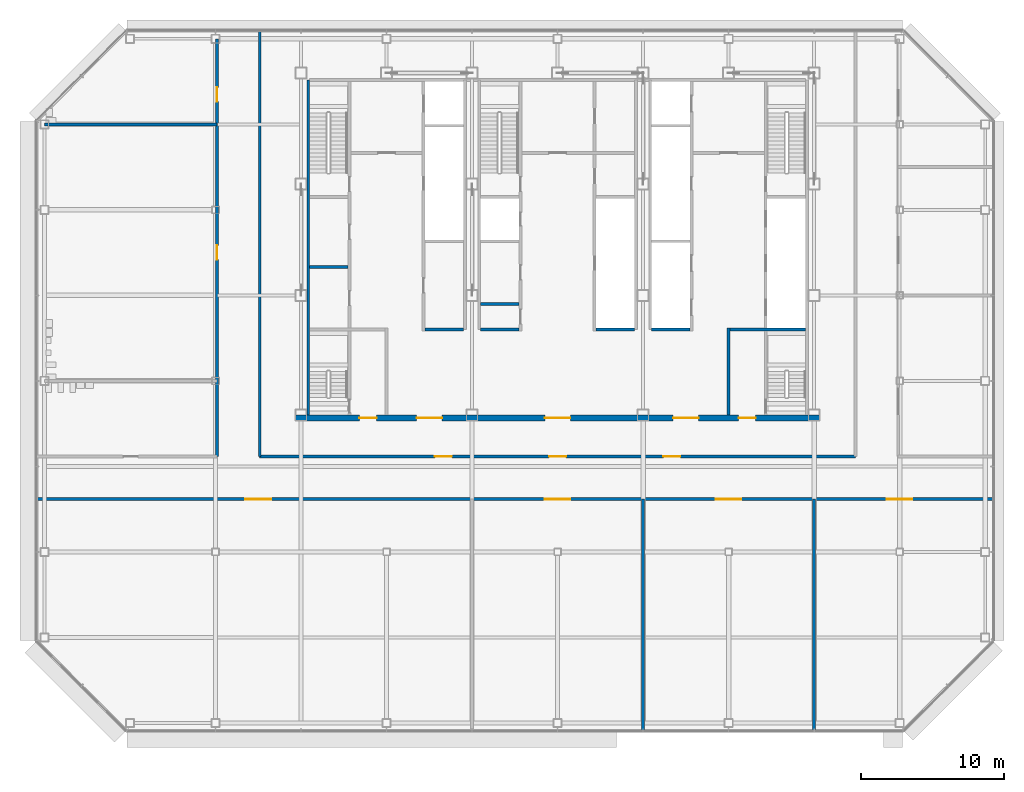
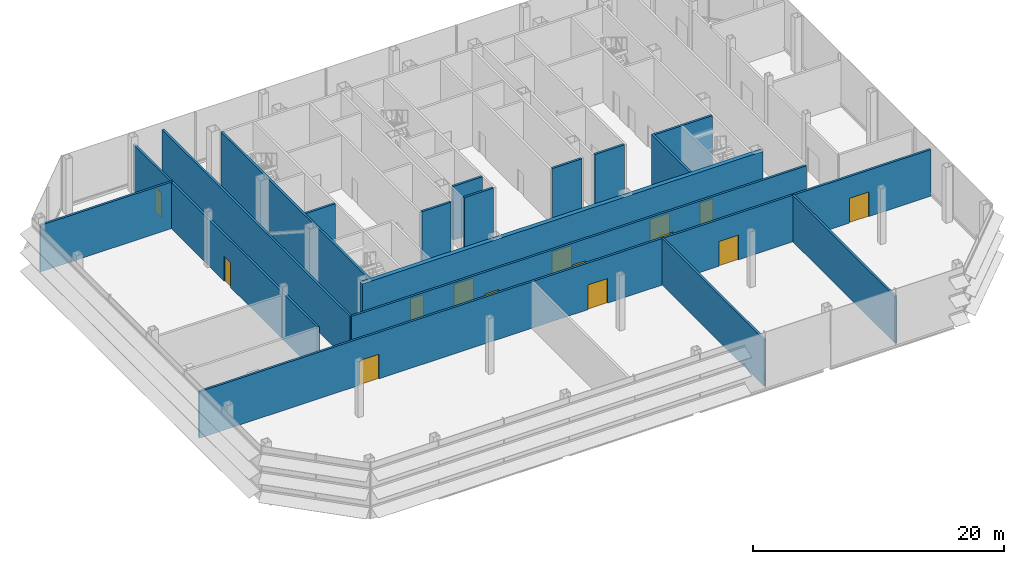
# One storey, part 19 of 26: 17 walls, 14 doors, 14 openings.
"""IFC4 building model written with IfcOpenShell, lengths in metres."""

from ifc_helpers import new_model, si_unit, direction, frame, frame_2d, origin, place, context, subcontext, project, spatial, rectangle, extrude, material, layer, layer_set, type_object, element, fill, save


model = new_model("IFC4")

# Units and contexts
model_context = context("Model", 3, precision=1e-05, world=origin(), true_north=direction((0.0, 1.0)))
body_context = subcontext(model_context, "Body", "Model", "MODEL_VIEW")
ifc_project = project(units=[si_unit("LENGTHUNIT", "METRE"), si_unit("AREAUNIT", "SQUARE_METRE"), si_unit("VOLUMEUNIT", "CUBIC_METRE"), si_unit("PLANEANGLEUNIT", "RADIAN"), si_unit("MASSUNIT", "GRAM", prefix="KILO")], contexts=[model_context])

# Site, building, storey
site_placement = place(None, origin())
site = spatial("IfcSite", under=ifc_project, at=site_placement, CompositionType="ELEMENT")
building_placement = place(site_placement, origin())
building = spatial("IfcBuilding", under=site, at=building_placement, Name="Sorahane Residences", CompositionType="ELEMENT")
storey_placement = place(building_placement, frame((0.0, 0.0, 257.60009765625)))
storey = spatial("IfcBuildingStorey", under=building, at=storey_placement, Name="L61", CompositionType="ELEMENT", Elevation=257.60009765625)

# Wall
ifc_material_1 = material(Name="Concrete C30", Category="concrete")
ifc_layer_1 = layer(ifc_material_1, 0.199951171875)
ifc_layer_set_1 = layer_set([ifc_layer_1], Name="Core face wall 200 EI 180")
wall_type_1 = type_object("IfcWallType", Name="Core face wall 200 EI 180", PredefinedType="SOLIDWALL", material=ifc_layer_set_1)
wall_1_placement = place(storey_placement, frame((6.5, 21.60009765625, 0.0), z_axis=(0.0, 0.0, 1.0), x_axis=(0.0, 1.0, 0.0)))
element("IfcWall", 1, at=wall_1_placement, inside=storey, type_object=wall_type_1, Name="L61 core face wall", PredefinedType="SOLIDWALL", context=body_context, shape_type="SweptSolid", body=[
    extrude(rectangle(XDim=23.5, YDim=0.199951171875, at=frame_2d((11.75, 0.0))), origin(), (0.0, 0.0, 1.0), 5.219970703125),
])

# Wall, openings, doors
ifc_material_2 = material(Name="Concrete blockwork C20 wall", Category="masonry")
ifc_layer_2 = layer(ifc_material_2, 0.199951171875)
ifc_layer_set_2 = layer_set([ifc_layer_2], Name="Corridor wall 200 EI 120")
wall_type_2 = type_object("IfcWallType", Name="Corridor wall 200 EI 120", PredefinedType="SOLIDWALL", material=ifc_layer_set_2)
wall_2_placement = place(storey_placement, frame((0.10009765625, 18.699951171875, 0.0), z_axis=(0.0, 0.0, 1.0), x_axis=(0.0, 1.0, 0.0)))
wall_2 = element("IfcWall", 2, at=wall_2_placement, inside=storey, type_object=wall_type_2, Name="L61 corridor wall", PredefinedType="SOLIDWALL", context=body_context, shape_type="SweptSolid", body=[
    extrude(rectangle(XDim=29.300048828125, YDim=0.199951171875, at=frame_2d((14.64990234375, 0.0))), origin(), (0.0, 0.0, 1.0), 4.52001953125),
])
opening_1_placement = place(wall_2_placement, frame((13.800048828125, 0.0, 0.0)))
opening_1 = element("IfcOpeningElement", 3, at=opening_1_placement, cuts=wall_2, Name="Opening L61-06", PredefinedType="OPENING", context=body_context, shape_type="SweptSolid", body=[
    extrude(rectangle(XDim=1.0, YDim=2.39990234375, at=frame_2d((0.5, 1.199951171875))), frame((0.0, 0.10986328125, 0.0), z_axis=(0.0, -1.0, 0.0), x_axis=(1.0, 0.0, 0.0)), (0.0, 0.0, 1.0), 0.219970703125),
])
opening_2_placement = place(wall_2_placement, frame((24.89990234375, 0.0, 0.0)))
opening_2 = element("IfcOpeningElement", 4, at=opening_2_placement, cuts=wall_2, Name="Opening L61-07", PredefinedType="OPENING", context=body_context, shape_type="SweptSolid", body=[
    extrude(rectangle(XDim=1.0, YDim=2.39990234375, at=frame_2d((0.5, 1.199951171875))), frame((0.0, 0.10986328125, 0.0), z_axis=(0.0, -1.0, 0.0), x_axis=(1.0, 0.0, 0.0)), (0.0, 0.0, 1.0), 0.219970703125),
])
ifc_material_3 = material(Name="Timber veneered fire door", Category="wood")
door_type_1 = type_object("IfcDoorType", Name="Room door 1000x2400 FD30", OperationType="NOTDEFINED", PredefinedType="DOOR", material=ifc_material_3)
door_1_placement = place(opening_1_placement, origin())
door_1 = element("IfcDoor", 5, at=door_1_placement, inside=storey, type_object=door_type_1, Name="Room door L61-06", OperationType="SINGLE_SWING_LEFT", OverallHeight=2.39990234375, OverallWidth=1.0, PredefinedType="DOOR", context=body_context, shape_type="SweptSolid", body=[
    extrude(rectangle(XDim=1.0, YDim=2.39990234375, at=frame_2d((0.5, 1.199951171875))), frame((0.0, 0.02490234375, 0.0), z_axis=(0.0, -1.0, 0.0), x_axis=(1.0, 0.0, 0.0)), (0.0, 0.0, 1.0), 0.050048828125),
])
fill(opening_1, door_1)
door_2_placement = place(opening_2_placement, origin())
door_2 = element("IfcDoor", 6, at=door_2_placement, inside=storey, type_object=door_type_1, Name="Room door L61-07", OperationType="SINGLE_SWING_RIGHT", OverallHeight=2.39990234375, OverallWidth=1.0, PredefinedType="DOOR", context=body_context, shape_type="SweptSolid", body=[
    extrude(rectangle(XDim=1.0, YDim=2.39990234375, at=frame_2d((0.5, 1.199951171875))), frame((0.0, 0.02490234375, 0.0), z_axis=(0.0, -1.0, 0.0), x_axis=(1.0, 0.0, 0.0)), (0.0, 0.0, 1.0), 0.050048828125),
])
fill(opening_2, door_2)

# Walls
wall_3_placement = place(storey_placement, frame((3.10009765625, 18.699951171875, 0.0), z_axis=(0.0, 0.0, 1.0), x_axis=(0.0, 1.0, 0.0)))
element("IfcWall", 7, at=wall_3_placement, inside=storey, type_object=wall_type_2, Name="L61 corridor wall", PredefinedType="SOLIDWALL", context=body_context, shape_type="SweptSolid", body=[
    extrude(rectangle(XDim=29.900146484375, YDim=0.199951171875, at=frame_2d((14.9501953125, 0.0))), origin(), (0.0, 0.0, 1.0), 4.52001953125),
])
for number, where, z_axis, x_axis, name in (
    (8, (30.0, -0.60009765625, 0.0), (0.0, 0.0, 1.0), (0.0, 1.0, 0.0), "L61 corridor wall"),
    (9, (42.0, -0.60009765625, 0.0), (0.0, 0.0, 1.0), (0.0, 1.0, 0.0), "L61 corridor wall"),
):
    element("IfcWall", number, at=place(storey_placement, frame(where, z_axis=z_axis, x_axis=x_axis)), inside=storey, type_object=wall_type_2, Name=name, PredefinedType="SOLIDWALL", context=body_context, shape_type="SweptSolid", body=[
        extrude(rectangle(XDim=16.300048828125, YDim=0.199951171875, at=frame_2d((8.14990234375, 0.0))), origin(), (0.0, 0.0, 1.0), 4.52001953125),
    ])

# Wall, openings, doors
wall_4_placement = place(storey_placement, frame((-12.60009765625, 15.699951171875, 0.0), z_axis=(0.0, 0.0, 1.0), x_axis=(1.0, 0.0, 0.0)))
wall_4 = element("IfcWall", 10, at=wall_4_placement, inside=storey, type_object=wall_type_2, Name="L61 corridor wall", PredefinedType="SOLIDWALL", context=body_context, shape_type="SweptSolid", body=[
    extrude(rectangle(XDim=67.2001953125, YDim=0.199951171875, at=frame_2d((33.60009765625, 0.0))), origin(), (0.0, 0.0, 1.0), 4.52001953125),
])
opening_3_placement = place(wall_4_placement, frame((14.699951171875, 0.0, 0.0)))
opening_3 = element("IfcOpeningElement", 11, at=opening_3_placement, cuts=wall_4, Name="Opening L61-01", PredefinedType="OPENING", context=body_context, shape_type="SweptSolid", body=[
    extrude(rectangle(XDim=1.800048828125, YDim=2.39990234375, at=frame_2d((0.89990234375, 1.199951171875))), frame((0.0, 0.10986328125, 0.0), z_axis=(0.0, -1.0, 0.0), x_axis=(1.0, 0.0, 0.0)), (0.0, 0.0, 1.0), 0.219970703125),
])
opening_4_placement = place(wall_4_placement, frame((35.699951171875, 0.0, 0.0)))
opening_4 = element("IfcOpeningElement", 12, at=opening_4_placement, cuts=wall_4, Name="Opening L61-02", PredefinedType="OPENING", context=body_context, shape_type="SweptSolid", body=[
    extrude(rectangle(XDim=1.800048828125, YDim=2.39990234375, at=frame_2d((0.89990234375, 1.199951171875))), frame((0.0, 0.10986328125, 0.0), z_axis=(0.0, -1.0, 0.0), x_axis=(1.0, 0.0, 0.0)), (0.0, 0.0, 1.0), 0.219970703125),
])
opening_5_placement = place(wall_4_placement, frame((47.699951171875, 0.0, 0.0)))
opening_5 = element("IfcOpeningElement", 13, at=opening_5_placement, cuts=wall_4, Name="Opening L61-03", PredefinedType="OPENING", context=body_context, shape_type="SweptSolid", body=[
    extrude(rectangle(XDim=1.800048828125, YDim=2.39990234375, at=frame_2d((0.89990234375, 1.199951171875))), frame((0.0, 0.10986328125, 0.0), z_axis=(0.0, -1.0, 0.0), x_axis=(1.0, 0.0, 0.0)), (0.0, 0.0, 1.0), 0.219970703125),
])
opening_6_placement = place(wall_4_placement, frame((59.699951171875, 0.0, 0.0)))
opening_6 = element("IfcOpeningElement", 14, at=opening_6_placement, cuts=wall_4, Name="Opening L61-04", PredefinedType="OPENING", context=body_context, shape_type="SweptSolid", body=[
    extrude(rectangle(XDim=1.800048828125, YDim=2.39990234375, at=frame_2d((0.89990234375, 1.199951171875))), frame((0.0, 0.10986328125, 0.0), z_axis=(0.0, -1.0, 0.0), x_axis=(1.0, 0.0, 0.0)), (0.0, 0.0, 1.0), 0.219970703125),
])
ifc_material_4 = material(Name="Timber veneered fire door", Category="wood")
door_type_2 = type_object("IfcDoorType", Name="Double door 1800x2400 FD30", OperationType="NOTDEFINED", PredefinedType="DOOR", material=ifc_material_4)
door_3_placement = place(opening_3_placement, origin())
door_3 = element("IfcDoor", 15, at=door_3_placement, inside=storey, type_object=door_type_2, Name="Double door L61-01", OperationType="SINGLE_SWING_LEFT", OverallHeight=2.39990234375, OverallWidth=1.800048828125, PredefinedType="DOOR", context=body_context, shape_type="SweptSolid", body=[
    extrude(rectangle(XDim=1.800048828125, YDim=2.39990234375, at=frame_2d((0.89990234375, 1.199951171875))), frame((0.0, 0.02490234375, 0.0), z_axis=(0.0, -1.0, 0.0), x_axis=(1.0, 0.0, 0.0)), (0.0, 0.0, 1.0), 0.050048828125),
])
fill(opening_3, door_3)
door_4_placement = place(opening_4_placement, origin())
door_4 = element("IfcDoor", 16, at=door_4_placement, inside=storey, type_object=door_type_2, Name="Double door L61-02", OperationType="SINGLE_SWING_LEFT", OverallHeight=2.39990234375, OverallWidth=1.800048828125, PredefinedType="DOOR", context=body_context, shape_type="SweptSolid", body=[
    extrude(rectangle(XDim=1.800048828125, YDim=2.39990234375, at=frame_2d((0.89990234375, 1.199951171875))), frame((0.0, 0.02490234375, 0.0), z_axis=(0.0, -1.0, 0.0), x_axis=(1.0, 0.0, 0.0)), (0.0, 0.0, 1.0), 0.050048828125),
])
fill(opening_4, door_4)
door_5_placement = place(opening_5_placement, origin())
door_5 = element("IfcDoor", 17, at=door_5_placement, inside=storey, type_object=door_type_2, Name="Double door L61-03", OperationType="SINGLE_SWING_LEFT", OverallHeight=2.39990234375, OverallWidth=1.800048828125, PredefinedType="DOOR", context=body_context, shape_type="SweptSolid", body=[
    extrude(rectangle(XDim=1.800048828125, YDim=2.39990234375, at=frame_2d((0.89990234375, 1.199951171875))), frame((0.0, 0.02490234375, 0.0), z_axis=(0.0, -1.0, 0.0), x_axis=(1.0, 0.0, 0.0)), (0.0, 0.0, 1.0), 0.050048828125),
])
fill(opening_5, door_5)
door_6_placement = place(opening_6_placement, origin())
door_6 = element("IfcDoor", 18, at=door_6_placement, inside=storey, type_object=door_type_2, Name="Double door L61-04", OperationType="SINGLE_SWING_RIGHT", OverallHeight=2.39990234375, OverallWidth=1.800048828125, PredefinedType="DOOR", context=body_context, shape_type="SweptSolid", body=[
    extrude(rectangle(XDim=1.800048828125, YDim=2.39990234375, at=frame_2d((0.89990234375, 1.199951171875))), frame((0.0, 0.02490234375, 0.0), z_axis=(0.0, -1.0, 0.0), x_axis=(1.0, 0.0, 0.0)), (0.0, 0.0, 1.0), 0.050048828125),
])
fill(opening_6, door_6)

wall_5_placement = place(storey_placement, frame((3.10009765625, 18.699951171875, 0.0), z_axis=(0.0, 0.0, 1.0), x_axis=(1.0, 0.0, 0.0)))
wall_5 = element("IfcWall", 19, at=wall_5_placement, inside=storey, type_object=wall_type_2, Name="L61 corridor wall", PredefinedType="SOLIDWALL", context=body_context, shape_type="SweptSolid", body=[
    extrude(rectangle(XDim=41.7998046875, YDim=0.199951171875, at=frame_2d((20.89990234375, 0.0))), origin(), (0.0, 0.0, 1.0), 4.52001953125),
])
opening_7_placement = place(wall_5_placement, frame((20.300048828125, 0.0, 0.0)))
opening_7 = element("IfcOpeningElement", 20, at=opening_7_placement, cuts=wall_5, Name="Opening L61-11", PredefinedType="OPENING", context=body_context, shape_type="SweptSolid", body=[
    extrude(rectangle(XDim=1.199951171875, YDim=2.39990234375, at=frame_2d((0.60009765625, 1.199951171875))), frame((0.0, 0.10986328125, 0.0), z_axis=(0.0, -1.0, 0.0), x_axis=(1.0, 0.0, 0.0)), (0.0, 0.0, 1.0), 0.219970703125),
])
opening_8_placement = place(wall_5_placement, frame((12.280029296875, 0.0, 0.0)))
opening_8 = element("IfcOpeningElement", 21, at=opening_8_placement, cuts=wall_5, Name="Opening L61-12", PredefinedType="OPENING", context=body_context, shape_type="SweptSolid", body=[
    extrude(rectangle(XDim=1.199951171875, YDim=2.39990234375, at=frame_2d((0.60009765625, 1.199951171875))), frame((0.0, 0.10986328125, 0.0), z_axis=(0.0, -1.0, 0.0), x_axis=(1.0, 0.0, 0.0)), (0.0, 0.0, 1.0), 0.219970703125),
])
opening_9_placement = place(wall_5_placement, frame((28.320068359375, 0.0, 0.0)))
opening_9 = element("IfcOpeningElement", 22, at=opening_9_placement, cuts=wall_5, Name="Opening L61-13", PredefinedType="OPENING", context=body_context, shape_type="SweptSolid", body=[
    extrude(rectangle(XDim=1.199951171875, YDim=2.39990234375, at=frame_2d((0.60009765625, 1.199951171875))), frame((0.0, 0.10986328125, 0.0), z_axis=(0.0, -1.0, 0.0), x_axis=(1.0, 0.0, 0.0)), (0.0, 0.0, 1.0), 0.219970703125),
])
ifc_material_5 = material(Name="Steel", Category="steel")
door_type_3 = type_object("IfcDoorType", Name="Lobby door 1200x2400 FD60", OperationType="NOTDEFINED", PredefinedType="DOOR", material=ifc_material_5)
door_7_placement = place(opening_7_placement, frame((1.199951171875, 0.0, 0.0), z_axis=(0.0, 0.0, 1.0), x_axis=(-1.0, 0.0, 0.0)))
door_7 = element("IfcDoor", 23, at=door_7_placement, inside=storey, type_object=door_type_3, Name="Lobby door L61-11", OperationType="SINGLE_SWING_RIGHT", OverallHeight=2.39990234375, OverallWidth=1.199951171875, PredefinedType="DOOR", context=body_context, shape_type="SweptSolid", body=[
    extrude(rectangle(XDim=1.199951171875, YDim=2.39990234375, at=frame_2d((0.60009765625, 1.199951171875))), frame((0.0, 0.02490234375, 0.0), z_axis=(0.0, -1.0, 0.0), x_axis=(1.0, 0.0, 0.0)), (0.0, 0.0, 1.0), 0.050048828125),
])
fill(opening_7, door_7)
door_8_placement = place(opening_8_placement, frame((1.199951171875, 0.0, 0.0), z_axis=(0.0, 0.0, 1.0), x_axis=(-1.0, 0.0, 0.0)))
door_8 = element("IfcDoor", 24, at=door_8_placement, inside=storey, type_object=door_type_3, Name="Lobby door L61-12", OperationType="SINGLE_SWING_LEFT", OverallHeight=2.39990234375, OverallWidth=1.199951171875, PredefinedType="DOOR", context=body_context, shape_type="SweptSolid", body=[
    extrude(rectangle(XDim=1.199951171875, YDim=2.39990234375, at=frame_2d((0.60009765625, 1.199951171875))), frame((0.0, 0.02490234375, 0.0), z_axis=(0.0, -1.0, 0.0), x_axis=(1.0, 0.0, 0.0)), (0.0, 0.0, 1.0), 0.050048828125),
])
fill(opening_8, door_8)
door_9_placement = place(opening_9_placement, frame((1.199951171875, 0.0, 0.0), z_axis=(0.0, 0.0, 1.0), x_axis=(-1.0, 0.0, 0.0)))
door_9 = element("IfcDoor", 25, at=door_9_placement, inside=storey, type_object=door_type_3, Name="Lobby door L61-13", OperationType="SINGLE_SWING_LEFT", OverallHeight=2.39990234375, OverallWidth=1.199951171875, PredefinedType="DOOR", context=body_context, shape_type="SweptSolid", body=[
    extrude(rectangle(XDim=1.199951171875, YDim=2.39990234375, at=frame_2d((0.60009765625, 1.199951171875))), frame((0.0, 0.02490234375, 0.0), z_axis=(0.0, -1.0, 0.0), x_axis=(1.0, 0.0, 0.0)), (0.0, 0.0, 1.0), 0.050048828125),
])
fill(opening_9, door_9)

# Walls
wall_6_placement = place(storey_placement, frame((-12.0, 42.0, 0.0), z_axis=(0.0, 0.0, 1.0), x_axis=(1.0, 0.0, 0.0)))
element("IfcWall", 26, at=wall_6_placement, inside=storey, type_object=wall_type_2, Name="L61 corridor wall", PredefinedType="SOLIDWALL", context=body_context, shape_type="SweptSolid", body=[
    extrude(rectangle(XDim=12.10009765625, YDim=0.199951171875, at=frame_2d((6.050048828125, 0.0))), origin(), (0.0, 0.0, 1.0), 4.52001953125),
])
ifc_material_6 = material(Name="Concrete C30", Category="concrete")
ifc_layer_3 = layer(ifc_material_6, 0.199951171875)
ifc_layer_set_3 = layer_set([ifc_layer_3], Name="Front room wall 200 EI 120")
wall_type_3 = type_object("IfcWallType", Name="Front room wall 200 EI 120", PredefinedType="PARTITIONING", material=ifc_layer_set_3)
wall_7_placement = place(storey_placement, frame((36.0, 21.60009765625, 0.0), z_axis=(0.0, 0.0, 1.0), x_axis=(0.0, 1.0, 0.0)))
element("IfcWall", 27, at=wall_7_placement, inside=storey, type_object=wall_type_3, Name="L61 front room wall", PredefinedType="PARTITIONING", context=body_context, shape_type="SweptSolid", body=[
    extrude(rectangle(XDim=6.099853515625, YDim=0.199951171875, at=frame_2d((3.0498046875, 0.0))), origin(), (0.0, 0.0, 1.0), 5.219970703125),
])
ifc_material_7 = material(Name="Concrete C30", Category="concrete")
ifc_layer_4 = layer(ifc_material_7, 0.199951171875)
ifc_layer_set_4 = layer_set([ifc_layer_4], Name="Lift shaft wall 200 EI 120")
wall_type_4 = type_object("IfcWallType", Name="Lift shaft wall 200 EI 120", PredefinedType="SOLIDWALL", material=ifc_layer_set_4)
wall_8_placement = place(storey_placement, frame((30.60009765625, 27.60009765625, 0.0), z_axis=(0.0, 0.0, 1.0), x_axis=(1.0, 0.0, 0.0)))
element("IfcWall", 28, at=wall_8_placement, inside=storey, type_object=wall_type_4, Name="L61 lift shaft wall", PredefinedType="SOLIDWALL", context=body_context, shape_type="SweptSolid", body=[
    extrude(rectangle(XDim=2.699951171875, YDim=0.199951171875, at=frame_2d((1.35009765625, 0.0))), origin(), (0.0, 0.0, 1.0), 5.219970703125),
])
ifc_material_8 = material(Name="Concrete C30", Category="concrete")
ifc_layer_5 = layer(ifc_material_8, 0.199951171875)
ifc_layer_set_5 = layer_set([ifc_layer_5], Name="Riser shaft wall 200 EI 120")
wall_type_5 = type_object("IfcWallType", Name="Riser shaft wall 200 EI 120", PredefinedType="SOLIDWALL", material=ifc_layer_set_5)
wall_9_placement = place(storey_placement, frame((26.699951171875, 27.60009765625, 0.0), z_axis=(0.0, 0.0, 1.0), x_axis=(1.0, 0.0, 0.0)))
element("IfcWall", 29, at=wall_9_placement, inside=storey, type_object=wall_type_5, Name="L61 riser wall", PredefinedType="SOLIDWALL", context=body_context, shape_type="SweptSolid", body=[
    extrude(rectangle(XDim=2.699951171875, YDim=0.199951171875, at=frame_2d((1.35009765625, 0.0))), origin(), (0.0, 0.0, 1.0), 5.219970703125),
])
ifc_material_9 = material(Name="Concrete C30", Category="concrete")
ifc_layer_6 = layer(ifc_material_9, 0.199951171875)
ifc_layer_set_6 = layer_set([ifc_layer_6], Name="Service room partition 200 EI 60")
wall_type_6 = type_object("IfcWallType", Name="Service room partition 200 EI 60", PredefinedType="PARTITIONING", material=ifc_layer_set_6)
for number, where, z_axis, x_axis, name in (
    (30, (14.699951171875, 27.60009765625, 0.0), (0.0, 0.0, 1.0), (1.0, 0.0, 0.0), "L61 service room wall"),
    (31, (18.60009765625, 27.60009765625, 0.0), (0.0, 0.0, 1.0), (1.0, 0.0, 0.0), "L61 service room wall"),
    (32, (18.60009765625, 29.39990234375, 0.0), (0.0, 0.0, 1.0), (1.0, 0.0, 0.0), "L61 service room wall"),
    (33, (6.60009765625, 32.0, 0.0), (0.0, 0.0, 1.0), (1.0, 0.0, 0.0), "L61 service room wall"),
):
    element("IfcWall", number, at=place(storey_placement, frame(where, z_axis=z_axis, x_axis=x_axis)), inside=storey, type_object=wall_type_6, Name=name, PredefinedType="PARTITIONING", context=body_context, shape_type="SweptSolid", body=[
        extrude(rectangle(XDim=2.699951171875, YDim=0.199951171875, at=frame_2d((1.35009765625, 0.0))), origin(), (0.0, 0.0, 1.0), 5.219970703125),
    ])
ifc_material_10 = material(Name="Concrete C30", Category="concrete")
ifc_layer_7 = layer(ifc_material_10, 0.199951171875)
ifc_layer_set_7 = layer_set([ifc_layer_7], Name="Stair enclosure wall 200 EI 120")
wall_type_7 = type_object("IfcWallType", Name="Stair enclosure wall 200 EI 120", PredefinedType="SOLIDWALL", material=ifc_layer_set_7)
wall_10_placement = place(storey_placement, frame((36.10009765625, 27.60009765625, 0.0), z_axis=(0.0, 0.0, 1.0), x_axis=(1.0, 0.0, 0.0)))
element("IfcWall", 34, at=wall_10_placement, inside=storey, type_object=wall_type_7, Name="L61 stair enclosure wall", PredefinedType="SOLIDWALL", context=body_context, shape_type="SweptSolid", body=[
    extrude(rectangle(XDim=5.2998046875, YDim=0.199951171875, at=frame_2d((2.64990234375, 0.0))), origin(), (0.0, 0.0, 1.0), 5.219970703125),
])

# Wall, openings, doors
ifc_material_11 = material(Name="Concrete C30", Category="concrete")
ifc_layer_8 = layer(ifc_material_11, 0.39990234375)
ifc_layer_set_8 = layer_set([ifc_layer_8], Name="Waiting hall wall 400 EI 120")
wall_type_8 = type_object("IfcWallType", Name="Waiting hall wall 400 EI 120", PredefinedType="SOLIDWALL", material=ifc_layer_set_8)
wall_11_placement = place(storey_placement, frame((5.60009765625, 21.39990234375, 0.0), z_axis=(0.0, 0.0, 1.0), x_axis=(1.0, 0.0, 0.0)))
wall_11 = element("IfcWall", 35, at=wall_11_placement, inside=storey, type_object=wall_type_8, Name="L61 waiting hall wall", PredefinedType="SOLIDWALL", context=body_context, shape_type="SweptSolid", body=[
    extrude(rectangle(XDim=36.7998046875, YDim=0.39990234375, at=frame_2d((18.39990234375, 0.0))), origin(), (0.0, 0.0, 1.0), 5.219970703125),
])
opening_10_placement = place(wall_11_placement, frame((8.5, 0.0, 0.0)))
opening_10 = element("IfcOpeningElement", 36, at=opening_10_placement, cuts=wall_11, Name="Opening L61-C01", PredefinedType="OPENING", context=body_context, shape_type="SweptSolid", body=[
    extrude(rectangle(XDim=1.800048828125, YDim=2.10009765625, at=frame_2d((0.89990234375, 1.050048828125))), frame((0.0, 0.2099609375, 0.0), z_axis=(0.0, -1.0, 0.0), x_axis=(1.0, 0.0, 0.0)), (0.0, 0.0, 1.0), 0.419921875),
])
opening_11_placement = place(wall_11_placement, frame((17.5, 0.0, 0.0)))
opening_11 = element("IfcOpeningElement", 37, at=opening_11_placement, cuts=wall_11, Name="Opening L61-C02", PredefinedType="OPENING", context=body_context, shape_type="SweptSolid", body=[
    extrude(rectangle(XDim=1.800048828125, YDim=2.10009765625, at=frame_2d((0.89990234375, 1.050048828125))), frame((0.0, 0.2099609375, 0.0), z_axis=(0.0, -1.0, 0.0), x_axis=(1.0, 0.0, 0.0)), (0.0, 0.0, 1.0), 0.419921875),
])
opening_12_placement = place(wall_11_placement, frame((26.5, 0.0, 0.0)))
opening_12 = element("IfcOpeningElement", 38, at=opening_12_placement, cuts=wall_11, Name="Opening L61-C03", PredefinedType="OPENING", context=body_context, shape_type="SweptSolid", body=[
    extrude(rectangle(XDim=1.800048828125, YDim=2.10009765625, at=frame_2d((0.89990234375, 1.050048828125))), frame((0.0, 0.2099609375, 0.0), z_axis=(0.0, -1.0, 0.0), x_axis=(1.0, 0.0, 0.0)), (0.0, 0.0, 1.0), 0.419921875),
])
opening_13_placement = place(wall_11_placement, frame((4.5, 0.0, 0.0)))
opening_13 = element("IfcOpeningElement", 39, at=opening_13_placement, cuts=wall_11, Name="Opening L61-C04", PredefinedType="OPENING", context=body_context, shape_type="SweptSolid", body=[
    extrude(rectangle(XDim=1.199951171875, YDim=2.10009765625, at=frame_2d((0.60009765625, 1.050048828125))), frame((0.0, 0.2099609375, 0.0), z_axis=(0.0, -1.0, 0.0), x_axis=(1.0, 0.0, 0.0)), (0.0, 0.0, 1.0), 0.419921875),
])
opening_14_placement = place(wall_11_placement, frame((31.10009765625, 0.0, 0.0)))
opening_14 = element("IfcOpeningElement", 40, at=opening_14_placement, cuts=wall_11, Name="Opening L61-C05", PredefinedType="OPENING", context=body_context, shape_type="SweptSolid", body=[
    extrude(rectangle(XDim=1.199951171875, YDim=2.10009765625, at=frame_2d((0.60009765625, 1.050048828125))), frame((0.0, 0.2099609375, 0.0), z_axis=(0.0, -1.0, 0.0), x_axis=(1.0, 0.0, 0.0)), (0.0, 0.0, 1.0), 0.419921875),
])
ifc_material_12 = material(Name="Steel", Category="steel")
door_type_4 = type_object("IfcDoorType", Name="Stair front room door 1200x2100 FD120", OperationType="NOTDEFINED", PredefinedType="DOOR", material=ifc_material_12)
door_10_placement = place(opening_13_placement, frame((1.199951171875, 0.0, 0.0), z_axis=(0.0, 0.0, 1.0), x_axis=(-1.0, 0.0, 0.0)))
door_10 = element("IfcDoor", 41, at=door_10_placement, inside=storey, type_object=door_type_4, Name="Stair front room door Stair S4 front room L61", OperationType="SINGLE_SWING_LEFT", OverallHeight=2.10009765625, OverallWidth=1.199951171875, PredefinedType="DOOR", context=body_context, shape_type="SweptSolid", body=[
    extrude(rectangle(XDim=1.199951171875, YDim=2.10009765625, at=frame_2d((0.60009765625, 1.050048828125))), frame((0.0, 0.02490234375, 0.0), z_axis=(0.0, -1.0, 0.0), x_axis=(1.0, 0.0, 0.0)), (0.0, 0.0, 1.0), 0.050048828125),
])
fill(opening_13, door_10)
door_11_placement = place(opening_14_placement, frame((1.199951171875, 0.0, 0.0), z_axis=(0.0, 0.0, 1.0), x_axis=(-1.0, 0.0, 0.0)))
door_11 = element("IfcDoor", 42, at=door_11_placement, inside=storey, type_object=door_type_4, Name="Stair front room door Stair S5 front room L61", OperationType="SINGLE_SWING_LEFT", OverallHeight=2.10009765625, OverallWidth=1.199951171875, PredefinedType="DOOR", context=body_context, shape_type="SweptSolid", body=[
    extrude(rectangle(XDim=1.199951171875, YDim=2.10009765625, at=frame_2d((0.60009765625, 1.050048828125))), frame((0.0, 0.02490234375, 0.0), z_axis=(0.0, -1.0, 0.0), x_axis=(1.0, 0.0, 0.0)), (0.0, 0.0, 1.0), 0.050048828125),
])
fill(opening_14, door_11)
ifc_material_13 = material(Name="Steel", Category="steel")
door_type_5 = type_object("IfcDoorType", Name="Waiting hall door 1800x2100 FD60", OperationType="NOTDEFINED", PredefinedType="DOOR", material=ifc_material_13)
door_12_placement = place(opening_10_placement, frame((1.800048828125, 0.0, 0.0), z_axis=(0.0, 0.0, 1.0), x_axis=(-1.0, 0.0, 0.0)))
door_12 = element("IfcDoor", 43, at=door_12_placement, inside=storey, type_object=door_type_5, Name="Waiting hall door Residents' waiting hall L61", OperationType="SINGLE_SWING_LEFT", OverallHeight=2.10009765625, OverallWidth=1.800048828125, PredefinedType="DOOR", context=body_context, shape_type="SweptSolid", body=[
    extrude(rectangle(XDim=1.800048828125, YDim=2.10009765625, at=frame_2d((0.89990234375, 1.050048828125))), frame((0.0, 0.02490234375, 0.0), z_axis=(0.0, -1.0, 0.0), x_axis=(1.0, 0.0, 0.0)), (0.0, 0.0, 1.0), 0.050048828125),
])
fill(opening_10, door_12)
door_13_placement = place(opening_11_placement, frame((1.800048828125, 0.0, 0.0), z_axis=(0.0, 0.0, 1.0), x_axis=(-1.0, 0.0, 0.0)))
door_13 = element("IfcDoor", 44, at=door_13_placement, inside=storey, type_object=door_type_5, Name="Waiting hall door Residents' waiting hall L61", OperationType="SINGLE_SWING_LEFT", OverallHeight=2.10009765625, OverallWidth=1.800048828125, PredefinedType="DOOR", context=body_context, shape_type="SweptSolid", body=[
    extrude(rectangle(XDim=1.800048828125, YDim=2.10009765625, at=frame_2d((0.89990234375, 1.050048828125))), frame((0.0, 0.02490234375, 0.0), z_axis=(0.0, -1.0, 0.0), x_axis=(1.0, 0.0, 0.0)), (0.0, 0.0, 1.0), 0.050048828125),
])
fill(opening_11, door_13)
door_14_placement = place(opening_12_placement, frame((1.800048828125, 0.0, 0.0), z_axis=(0.0, 0.0, 1.0), x_axis=(-1.0, 0.0, 0.0)))
door_14 = element("IfcDoor", 45, at=door_14_placement, inside=storey, type_object=door_type_5, Name="Waiting hall door Residents' waiting hall L61", OperationType="SINGLE_SWING_LEFT", OverallHeight=2.10009765625, OverallWidth=1.800048828125, PredefinedType="DOOR", context=body_context, shape_type="SweptSolid", body=[
    extrude(rectangle(XDim=1.800048828125, YDim=2.10009765625, at=frame_2d((0.89990234375, 1.050048828125))), frame((0.0, 0.02490234375, 0.0), z_axis=(0.0, -1.0, 0.0), x_axis=(1.0, 0.0, 0.0)), (0.0, 0.0, 1.0), 0.050048828125),
])
fill(opening_12, door_14)

save(model, "model.ifc")
